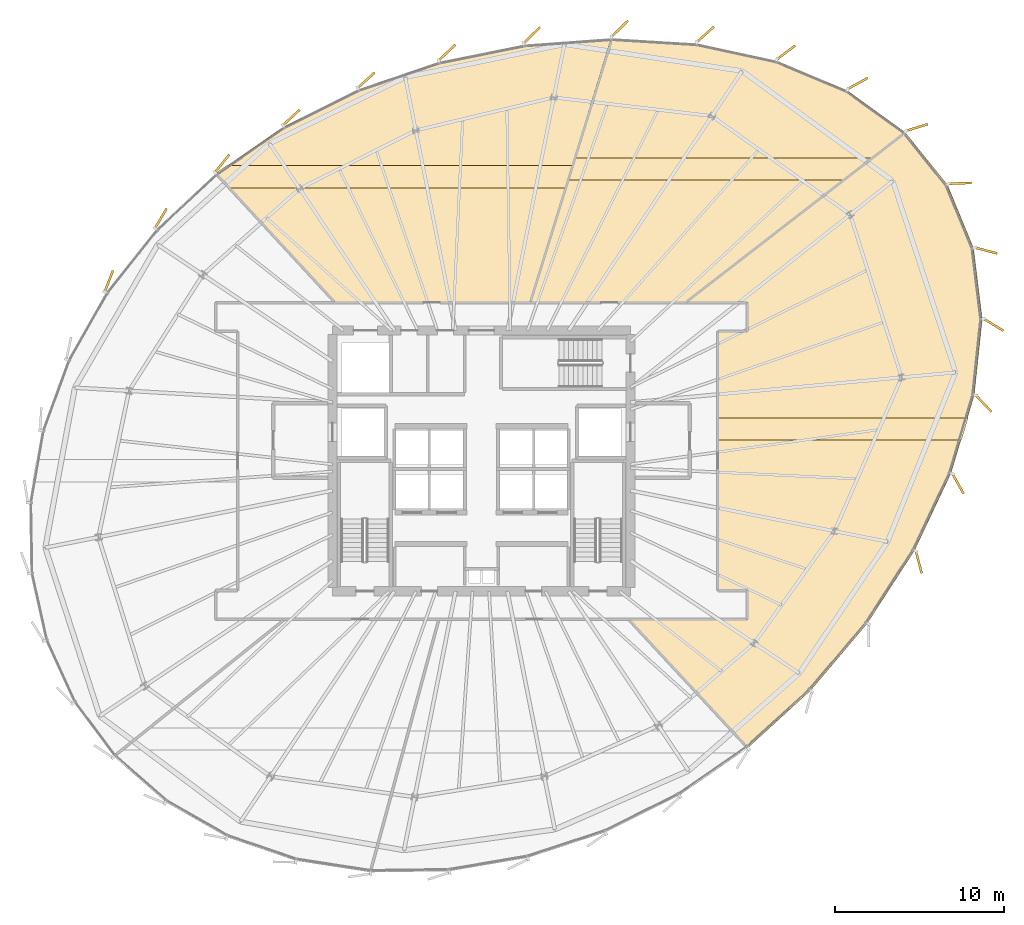
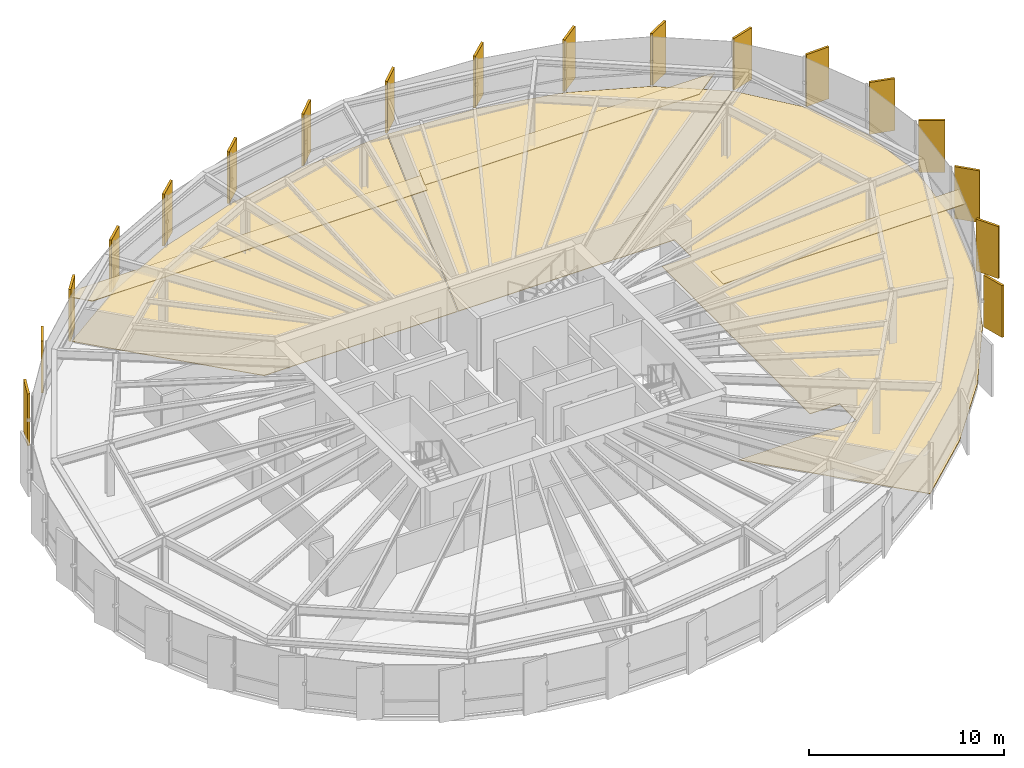
# One storey, part 32 of 32: 24 coverings.
"""IFC4 building model written with IfcOpenShell, lengths in metres."""

from ifc_helpers import new_model, si_unit, direction, frame, origin, origin_2d, place, context, subcontext, project, spatial, polyline, rectangle, outline, extrude, source, transform, mapped, material, layer, layer_set, type_object, element, save


model = new_model("IFC4")

# Units and contexts
model_context = context("Model", 3, precision=1e-05, world=origin(), true_north=direction((0.0, 1.0)))
body_context = subcontext(model_context, "Body", "Model", "MODEL_VIEW")
ifc_project = project(units=[si_unit("LENGTHUNIT", "METRE"), si_unit("AREAUNIT", "SQUARE_METRE"), si_unit("VOLUMEUNIT", "CUBIC_METRE"), si_unit("PLANEANGLEUNIT", "RADIAN"), si_unit("MASSUNIT", "GRAM", prefix="KILO"), si_unit("THERMODYNAMICTEMPERATUREUNIT", "KELVIN")], contexts=[model_context])

# Site, building, storey
site_placement = place(None, origin())
site = spatial("IfcSite", under=ifc_project, at=site_placement, CompositionType="ELEMENT")
building_placement = place(site_placement, origin())
building = spatial("IfcBuilding", under=site, at=building_placement, Name="Kethvar Cultural Tower", CompositionType="ELEMENT")
storey_placement = place(building_placement, frame((0.0, 0.0, 157.199951171875)))
storey = spatial("IfcBuildingStorey", under=building, at=storey_placement, Name="L40", CompositionType="ELEMENT", Elevation=157.199951171875)

# Coverings
ifc_material_1 = material(Name="Acoustic Mineral Fibre Ceiling")
ifc_layer_1 = layer(ifc_material_1, 0.0400390625, Name="Acoustic Mineral Fibre Ceiling")
ifc_layer_set_1 = layer_set([ifc_layer_1], Name="Acoustic Mineral Fibre Ceiling (40 mm)")
covering_type_1 = type_object("IfcCoveringType", Name="CV-ACOUSTIC-CEIL", PredefinedType="CEILING", material=ifc_layer_set_1)
covering_1_placement = place(storey_placement, frame((0.0, 0.0, 2.780029296875)))
element("IfcCovering", 1, at=covering_1_placement, inside=storey, type_object=covering_type_1, Name="L40 Room 03 Acoustic Ceiling Panel", PredefinedType="CEILING", context=body_context, shape_type="SweptSolid", body=[
    extrude(outline(polyline([(75.1337890625, 29.021728515625), (60.72998046875, 29.021728515625), (60.72998046875, 30.331787109375), (75.52392578125, 30.331787109375), (75.1337890625, 29.021728515625)])), origin(), (0.0, 0.0, 1.0), 0.0400390625),
])
covering_2_placement = place(storey_placement, frame((0.0, 0.0, 2.780029296875)))
element("IfcCovering", 2, at=covering_2_placement, inside=storey, type_object=covering_type_1, Name="L40 Room 04 Acoustic Ceiling Panel", PredefinedType="CEILING", context=body_context, shape_type="SweptSolid", body=[
    extrude(outline(polyline([(68.1748046875, 44.37158203125), (51.876953125, 44.37158203125), (52.280029296875, 45.681640625), (69.86181640625, 45.681640625), (68.1748046875, 44.37158203125)])), origin(), (0.0, 0.0, 1.0), 0.0400390625),
])
covering_3_placement = place(storey_placement, frame((0.0, 0.0, 2.780029296875)))
element("IfcCovering", 3, at=covering_3_placement, inside=storey, type_object=covering_type_1, Name="L40 Room 05 Acoustic Ceiling Panel", PredefinedType="CEILING", context=body_context, shape_type="SweptSolid", body=[
    extrude(outline(polyline([(51.779296875, 43.918701171875), (31.878662109375, 43.918701171875), (31.094482421875, 44.776123046875), (31.734619140625, 45.228515625), (52.182373046875, 45.228515625), (51.779296875, 43.918701171875)])), origin(), (0.0, 0.0, 1.0), 0.0400390625),
])
ifc_material_2 = material(Name="Honed Warm Limestone", Category="masonry")
ifc_layer_2 = layer(ifc_material_2, 0.030029296875, Name="Honed Warm Limestone", Category="masonry")
ifc_layer_set_2 = layer_set([ifc_layer_2], Name="Honed Warm Limestone (30 mm)")
covering_type_2 = type_object("IfcCoveringType", Name="CV-STONE-FLOOR", PredefinedType="FLOORING", material=ifc_layer_set_2)
covering_4_placement = place(storey_placement, origin())
element("IfcCovering", 4, at=covering_4_placement, inside=storey, type_object=covering_type_2, Name="L40 Room 03 Floor Finish", PredefinedType="FLOORING", context=body_context, shape_type="SweptSolid", body=[
    extrude(outline(polyline([(76.359619140625, 36.17626953125), (75.88623046875, 31.68896484375), (74.51171875, 27.072509765625), (72.355224609375, 22.513671875), (69.552734375, 18.1923828125), (66.23583984375, 14.26806640625), (62.52978515625, 10.87890625), (55.5224609375, 18.429931640625), (62.51953125, 18.446044921875), (62.51416015625, 20.1640625), (60.77001953125, 20.169921875), (60.77001953125, 35.429931640625), (62.51416015625, 35.435791015625), (62.51953125, 37.15380859375), (58.89990234375, 37.169921875), (71.806884765625, 47.19189453125), (74.31640625, 44.072998046875), (75.84716796875, 40.35595703125), (76.359619140625, 36.17626953125)])), origin(), (0.0, 0.0, 1.0), 0.030029296875),
])
covering_5_placement = place(storey_placement, origin())
element("IfcCovering", 5, at=covering_5_placement, inside=storey, type_object=covering_type_2, Name="L40 Room 04 Floor Finish", PredefinedType="FLOORING", context=body_context, shape_type="SweptSolid", body=[
    extrude(outline(polyline([(59.5126953125, 52.434326171875), (64.220458984375, 51.414794921875), (68.380615234375, 49.66796875), (71.77685546875, 47.21923828125), (58.834716796875, 37.169921875), (49.703369140625, 37.169921875), (54.4931640625, 52.739990234375), (59.5126953125, 52.434326171875)])), origin(), (0.0, 0.0, 1.0), 0.030029296875),
])
covering_6_placement = place(storey_placement, origin())
element("IfcCovering", 6, at=covering_6_placement, inside=storey, type_object=covering_type_2, Name="L40 Room 05 Floor Finish", PredefinedType="FLOORING", context=body_context, shape_type="SweptSolid", body=[
    extrude(outline(polyline([(35.130615234375, 47.53173828125), (39.5322265625, 49.72998046875), (44.30517578125, 51.3505859375), (49.342041015625, 52.36669921875), (54.450927734375, 52.739013671875), (49.66162109375, 37.169921875), (38.169189453125, 37.169921875), (31.14501953125, 44.771484375), (35.130615234375, 47.53173828125)])), origin(), (0.0, 0.0, 1.0), 0.030029296875),
])
ifc_material_3 = material(Name="Extruded Architectural Terracotta", Category="masonry")
ifc_layer_3 = layer(ifc_material_3, 0.135009765625, Name="Extruded Architectural Terracotta", Category="masonry")
ifc_layer_set_3 = layer_set([ifc_layer_3], Name="Extruded Architectural Terracotta (135 mm)")
covering_type_3 = type_object("IfcCoveringType", Name="Terracotta Facade Fin FIN-02", PredefinedType="CLADDING", material=ifc_layer_set_3)
shared_shape = source(origin(), body_context, "Body", "SweptSolid", [
    extrude(rectangle(XDim=1.35009765625, YDim=0.135009765625, at=origin_2d()), origin(), (0.0, 0.0, 1.0), 3.260009765625),
])
for number, where, z_axis, x_axis, name in (
    (7, (75.0458984375, 44.190185546875, 0.02001953125), (0.0, 0.0, 1.0), (0.999242679625, 0.038911016641, 0.0), "L40 Vertical Terracotta Fin 1.1"),
    (8, (72.501953125, 47.484619140625, 0.02001953125), (0.0, 0.0, 1.0), (0.955175082344, 0.296041487076, 0.0), "L40 Vertical Terracotta Fin 1.2"),
    (9, (69.01220703125, 50.085693359375, 0.02001953125), (0.0, 0.0, 1.0), (0.875211360941, 0.483740709141, 0.0), "L40 Vertical Terracotta Fin 1.3"),
    (10, (64.78173828125, 51.91943359375, 0.02001953125), (0.0, 0.0, 1.0), (0.797583928825, 0.603207987745, 0.0), "L40 Vertical Terracotta Fin 1.4"),
    (11, (60.021240234375, 52.986328125, 0.02001953125), (0.0, 0.0, 1.0), (0.742209818805, 0.670167579691, 0.0), "L40 Vertical Terracotta Fin 1.5"),
    (12, (54.955810546875, 53.3125, 0.02001953125), (0.0, 0.0, 1.0), (0.715448897181, 0.698665066769, 0.0), "L40 Vertical Terracotta Fin 1.6"),
    (13, (49.767578125, 52.9296875, 0.02001953125), (0.0, 0.0, 1.0), (0.71459478304, 0.699538630851, 0.0), "L40 Vertical Terracotta Fin 2.1"),
    (14, (44.76513671875, 51.9091796875, 0.02001953125), (0.0, 0.0, 1.0), (0.727293788809, 0.686326266989, 0.0), "L40 Vertical Terracotta Fin 2.2"),
    (15, (39.98876953125, 50.273681640625, 0.02001953125), (0.0, 0.0, 1.0), (0.740687347645, 0.671849873885, 0.0), "L40 Vertical Terracotta Fin 2.3"),
    (16, (35.57080078125, 48.072509765625, 0.02001953125), (0.0, 0.0, 1.0), (0.734796222766, 0.678287926333, 0.0), "L40 Vertical Terracotta Fin 2.4"),
    (17, (31.48486328125, 45.35791015625, 0.02001953125), (0.0, 0.0, 1.0), (0.629456019022, 0.777036112492, 0.0), "L40 Vertical Terracotta Fin 2.5"),
    (18, (27.864990234375, 42.11669921875, 0.02001953125), (0.0, 0.0, 1.0), (0.50723756673, 0.861806272255, 0.0), "L40 Vertical Terracotta Fin 2.6"),
    (19, (24.798828125, 38.412841796875, 0.02001953125), (0.0, 0.0, 1.0), (0.367150691357, 0.930161475141, 0.0), "L40 Vertical Terracotta Fin 3.1"),
    (20, (72.617919921875, 21.81689453125, 0.02001953125), (0.0, 0.0, 1.0), (0.255783227395, -0.966734162313, 0.0), "L40 Vertical Terracotta Fin 6.2"),
    (21, (74.93408203125, 26.451904296875, 0.02001953125), (0.0, 0.0, 1.0), (0.484351604003, -0.87487343296, 0.0), "L40 Vertical Terracotta Fin 6.3"),
    (22, (76.448486328125, 31.185302734375, 0.02001953125), (0.0, 0.0, 1.0), (0.685691322174, -0.727892444455, 0.0), "L40 Vertical Terracotta Fin 6.4"),
    (23, (77.03564453125, 35.835205078125, 0.02001953125), (0.0, 0.0, 1.0), (0.854368143929, -0.519668235165, 0.0), "L40 Vertical Terracotta Fin 6.5"),
    (24, (76.59375, 40.22119140625, 0.02001953125), (0.0, 0.0, 1.0), (0.967621122723, -0.252407137104, 0.0), "L40 Vertical Terracotta Fin 6.6"),
):
    element("IfcCovering", number, at=place(storey_placement, frame(where, z_axis=z_axis, x_axis=x_axis)), inside=storey, type_object=covering_type_3, Name=name, PredefinedType="CLADDING", context=body_context, shape_type="MappedRepresentation", body=[
        mapped(shared_shape, transform((0.0, 0.0, 0.0), scale=1.0)),
    ])

save(model, "model.ifc")
